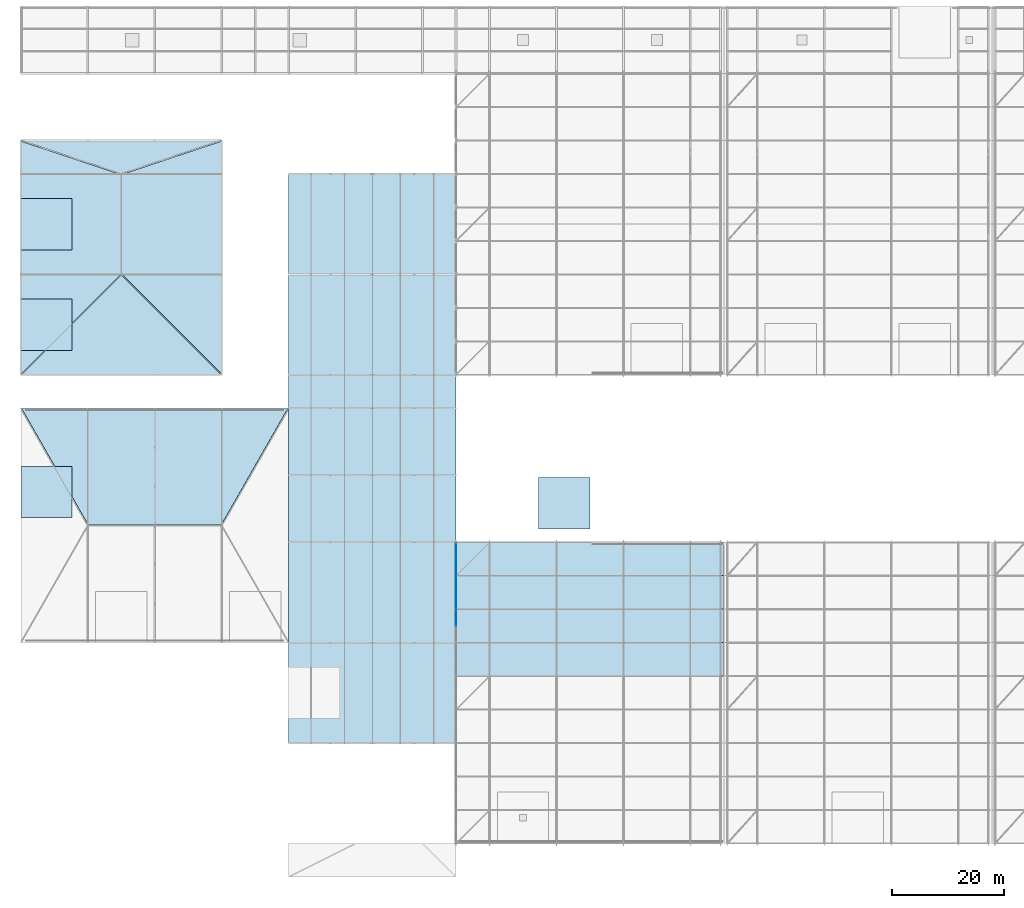
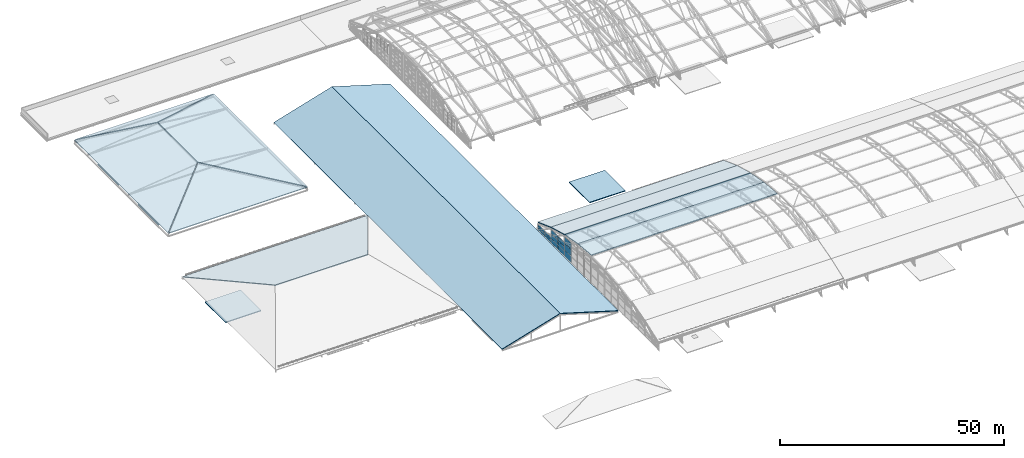
# One storey, part 159 of 204: 15 slabs, 13 plates, 7 elements without a shape of their own.
"""IFC4 building model written with IfcOpenShell, lengths in metres."""

from ifc_helpers import new_model, si_unit, direction, frame, origin, origin_2d, place, context, subcontext, project, spatial, polyline, rectangle, outline, extrude, material, layer, layer_set, type_object, element, aggregate, save


model = new_model("IFC4")

# Units and contexts
model_context = context("Model", 3, precision=1e-05, world=origin(), true_north=direction((0.0, 1.0)))
body_context = subcontext(model_context, "Body", "Model", "MODEL_VIEW")
ifc_project = project(units=[si_unit("LENGTHUNIT", "METRE"), si_unit("AREAUNIT", "SQUARE_METRE"), si_unit("VOLUMEUNIT", "CUBIC_METRE"), si_unit("PLANEANGLEUNIT", "RADIAN"), si_unit("MASSUNIT", "GRAM", prefix="KILO")], contexts=[model_context])

# Site, building, storey
site_placement = place(None, origin())
site = spatial("IfcSite", under=ifc_project, at=site_placement, CompositionType="ELEMENT")
building_placement = place(site_placement, origin())
building = spatial("IfcBuilding", under=site, at=building_placement, Name="Zilviju Railside Exhibition Hall", CompositionType="ELEMENT")
storey_placement = place(building_placement, frame((0.0, 0.0, 21.0)))
storey = spatial("IfcBuildingStorey", under=building, at=storey_placement, Name="RF", CompositionType="ELEMENT", Elevation=21.0)

# Curtain wall, plates
ifc_material_1 = material(Name="Thermally broken aluminium-steel triple-glazed curtain wall", Category="steel")
ifc_layer_1 = layer(ifc_material_1, 0.179931640625)
ifc_layer_set_1 = layer_set([ifc_layer_1], Name="Thermally broken aluminium-steel triple-glazed curtain wall")
curtain_wall_type_1 = type_object("IfcCurtainWallType", Name="CW-BAY-17", PredefinedType="USERDEFINED", material=ifc_layer_set_1)
curtain_wall_1_placement = place(storey_placement, origin())
curtain_wall_1 = element("IfcCurtainWall", 1, at=curtain_wall_1_placement, inside=storey, type_object=curtain_wall_type_1, Name="South Hall Arch Tympanum Glazing West P9", ObjectType="GLAZED CURTAIN WALL", PredefinedType="USERDEFINED")
ifc_material_2 = material(Name="Laminated acoustic double-glazed porch unit", Category="glass")
ifc_layer_2 = layer(ifc_material_2, 0.031982421875)
ifc_layer_set_2 = layer_set([ifc_layer_2], Name="Laminated acoustic double-glazed porch unit")
plate_type_1 = type_object("IfcPlateType", Name="CWP-IGU-32", PredefinedType="CURTAIN_PANEL", material=ifc_layer_set_2)
plate_1_placement = place(storey_placement, frame((78.0, 49.514892578125, -7.739990234375), z_axis=(0.0, 0.0, 1.0), x_axis=(0.0, 1.0, 0.0)))
plate_1 = element("IfcPlate", 2, at=plate_1_placement, type_object=plate_type_1, Name="CW-17 panel 1.1", PredefinedType="CURTAIN_PANEL", context=body_context, shape_type="SweptSolid", body=[
    extrude(rectangle(XDim=2.909912109375, YDim=0.031982421875, at=origin_2d()), origin(), (0.0, 0.0, 1.0), 0.7099609375),
])
plate_2_placement = place(storey_placement, frame((78.0, 49.514892578125, -6.969970703125), z_axis=(0.0, 0.0, 1.0), x_axis=(0.0, 1.0, 0.0)))
plate_2 = element("IfcPlate", 3, at=plate_2_placement, type_object=plate_type_1, Name="CW-17 panel 1.2", PredefinedType="CURTAIN_PANEL", context=body_context, shape_type="SweptSolid", body=[
    extrude(rectangle(XDim=2.909912109375, YDim=0.031982421875, at=origin_2d()), origin(), (0.0, 0.0, 1.0), 0.7099609375),
])
plate_3_placement = place(storey_placement, frame((78.0, 52.485107421875, -7.739990234375), z_axis=(0.0, 0.0, 1.0), x_axis=(0.0, 1.0, 0.0)))
plate_3 = element("IfcPlate", 4, at=plate_3_placement, type_object=plate_type_1, Name="CW-17 panel 2.1", PredefinedType="CURTAIN_PANEL", context=body_context, shape_type="SweptSolid", body=[
    extrude(rectangle(XDim=2.909912109375, YDim=0.031982421875, at=origin_2d()), origin(), (0.0, 0.0, 1.0), 0.7099609375),
])
plate_4_placement = place(storey_placement, frame((78.0, 52.485107421875, -6.969970703125), z_axis=(0.0, 0.0, 1.0), x_axis=(0.0, 1.0, 0.0)))
plate_4 = element("IfcPlate", 5, at=plate_4_placement, type_object=plate_type_1, Name="CW-17 panel 2.2", PredefinedType="CURTAIN_PANEL", context=body_context, shape_type="SweptSolid", body=[
    extrude(rectangle(XDim=2.909912109375, YDim=0.031982421875, at=origin_2d()), origin(), (0.0, 0.0, 1.0), 0.7099609375),
])
aggregate(curtain_wall_1, [plate_1, plate_2, plate_3, plate_4])

ifc_layer_3 = layer(ifc_material_1, 0.179931640625)
ifc_layer_set_3 = layer_set([ifc_layer_3], Name="Thermally broken aluminium-steel triple-glazed curtain wall")
curtain_wall_type_2 = type_object("IfcCurtainWallType", Name="CW-BAY-16", PredefinedType="USERDEFINED", material=ifc_layer_set_3)
curtain_wall_2_placement = place(storey_placement, origin())
curtain_wall_2 = element("IfcCurtainWall", 6, at=curtain_wall_2_placement, inside=storey, type_object=curtain_wall_type_2, Name="South Hall Arch Tympanum Glazing West P8", ObjectType="GLAZED CURTAIN WALL", PredefinedType="USERDEFINED")
ifc_material_3 = material(Name="Triple-glazed solar-control glass unit", Category="glass")
ifc_layer_4 = layer(ifc_material_3, 0.0380859375)
ifc_layer_set_4 = layer_set([ifc_layer_4], Name="Triple-glazed solar-control glass unit")
plate_type_2 = type_object("IfcPlateType", Name="CWP-IGU-38", PredefinedType="CURTAIN_PANEL", material=ifc_layer_set_4)
plate_5_placement = place(storey_placement, frame((78.0, 43.516357421875, -7.73486328125), z_axis=(0.0, 0.0, 1.0), x_axis=(0.0, 1.0, 0.0)))
plate_5 = element("IfcPlate", 7, at=plate_5_placement, type_object=plate_type_2, Name="CW-16 panel 1.1", PredefinedType="CURTAIN_PANEL", context=body_context, shape_type="SweptSolid", body=[
    extrude(rectangle(XDim=2.902587890625, YDim=0.0380859375, at=origin_2d()), origin(), (0.0, 0.0, 1.0), 1.173583984375),
])
plate_6_placement = place(storey_placement, frame((78.0, 43.516357421875, -6.49658203125), z_axis=(0.0, 0.0, 1.0), x_axis=(0.0, 1.0, 0.0)))
plate_6 = element("IfcPlate", 8, at=plate_6_placement, type_object=plate_type_2, Name="CW-16 panel 1.2", PredefinedType="CURTAIN_PANEL", context=body_context, shape_type="SweptSolid", body=[
    extrude(rectangle(XDim=2.902587890625, YDim=0.0380859375, at=origin_2d()), origin(), (0.0, 0.0, 1.0), 1.205078125),
])
plate_7_placement = place(storey_placement, frame((78.0, 43.516357421875, -5.2265625), z_axis=(0.0, 0.0, 1.0), x_axis=(0.0, 1.0, 0.0)))
plate_7 = element("IfcPlate", 9, at=plate_7_placement, type_object=plate_type_2, Name="CW-16 panel 1.3", PredefinedType="CURTAIN_PANEL", context=body_context, shape_type="SweptSolid", body=[
    extrude(rectangle(XDim=2.902587890625, YDim=0.0380859375, at=origin_2d()), origin(), (0.0, 0.0, 1.0), 1.173583984375),
])
plate_8_placement = place(storey_placement, frame((78.0, 46.483642578125, -7.73486328125), z_axis=(0.0, 0.0, 1.0), x_axis=(0.0, 1.0, 0.0)))
plate_8 = element("IfcPlate", 10, at=plate_8_placement, type_object=plate_type_2, Name="CW-16 panel 2.1", PredefinedType="CURTAIN_PANEL", context=body_context, shape_type="SweptSolid", body=[
    extrude(rectangle(XDim=2.902587890625, YDim=0.0380859375, at=origin_2d()), origin(), (0.0, 0.0, 1.0), 1.173583984375),
])
plate_9_placement = place(storey_placement, frame((78.0, 46.483642578125, -6.49658203125), z_axis=(0.0, 0.0, 1.0), x_axis=(0.0, 1.0, 0.0)))
plate_9 = element("IfcPlate", 11, at=plate_9_placement, type_object=plate_type_2, Name="CW-16 panel 2.2", PredefinedType="CURTAIN_PANEL", context=body_context, shape_type="SweptSolid", body=[
    extrude(rectangle(XDim=2.902587890625, YDim=0.0380859375, at=origin_2d()), origin(), (0.0, 0.0, 1.0), 1.205078125),
])
plate_10_placement = place(storey_placement, frame((78.0, 46.483642578125, -5.2265625), z_axis=(0.0, 0.0, 1.0), x_axis=(0.0, 1.0, 0.0)))
plate_10 = element("IfcPlate", 12, at=plate_10_placement, type_object=plate_type_2, Name="CW-16 panel 2.3", PredefinedType="CURTAIN_PANEL", context=body_context, shape_type="SweptSolid", body=[
    extrude(rectangle(XDim=2.902587890625, YDim=0.0380859375, at=origin_2d()), origin(), (0.0, 0.0, 1.0), 1.173583984375),
])
aggregate(curtain_wall_2, [plate_5, plate_6, plate_7, plate_8, plate_9, plate_10])

ifc_layer_5 = layer(ifc_material_1, 0.179931640625)
ifc_layer_set_5 = layer_set([ifc_layer_5], Name="Thermally broken aluminium-steel triple-glazed curtain wall")
curtain_wall_type_3 = type_object("IfcCurtainWallType", Name="CW-BAY-15", PredefinedType="USERDEFINED", material=ifc_layer_set_5)
curtain_wall_3_placement = place(storey_placement, origin())
curtain_wall_3 = element("IfcCurtainWall", 13, at=curtain_wall_3_placement, inside=storey, type_object=curtain_wall_type_3, Name="South Hall Arch Tympanum Glazing West P7", ObjectType="GLAZED CURTAIN WALL", PredefinedType="USERDEFINED")
ifc_material_4 = material(Name="Triple-glazed low-E argon insulating glass unit", Category="glass")
ifc_layer_6 = layer(ifc_material_4, 0.0439453125)
ifc_layer_set_6 = layer_set([ifc_layer_6], Name="Triple-glazed low-E argon insulating glass unit")
plate_type_3 = type_object("IfcPlateType", Name="CWP-IGU-44", PredefinedType="CURTAIN_PANEL", material=ifc_layer_set_6)
plate_11_placement = place(storey_placement, frame((78.0, 40.482421875, -7.72998046875), z_axis=(0.0, 0.0, 1.0), x_axis=(0.0, 1.0, 0.0)))
plate_11 = element("IfcPlate", 14, at=plate_11_placement, type_object=plate_type_3, Name="CW-15 panel 2.1", PredefinedType="CURTAIN_PANEL", context=body_context, shape_type="SweptSolid", body=[
    extrude(rectangle(XDim=2.89501953125, YDim=0.0439453125, at=origin_2d()), origin(), (0.0, 0.0, 1.0), 1.718994140625),
])
plate_12_placement = place(storey_placement, frame((78.0, 40.482421875, -5.94091796875), z_axis=(0.0, 0.0, 1.0), x_axis=(0.0, 1.0, 0.0)))
plate_12 = element("IfcPlate", 15, at=plate_12_placement, type_object=plate_type_3, Name="CW-15 panel 2.2", PredefinedType="CURTAIN_PANEL", context=body_context, shape_type="SweptSolid", body=[
    extrude(rectangle(XDim=2.89501953125, YDim=0.0439453125, at=origin_2d()), origin(), (0.0, 0.0, 1.0), 1.75390625),
])
plate_13_placement = place(storey_placement, frame((78.0, 40.482421875, -4.1171875), z_axis=(0.0, 0.0, 1.0), x_axis=(0.0, 1.0, 0.0)))
plate_13 = element("IfcPlate", 16, at=plate_13_placement, type_object=plate_type_3, Name="CW-15 panel 2.3", PredefinedType="CURTAIN_PANEL", context=body_context, shape_type="SweptSolid", body=[
    extrude(rectangle(XDim=2.89501953125, YDim=0.0439453125, at=origin_2d()), origin(), (0.0, 0.0, 1.0), 1.718994140625),
])
aggregate(curtain_wall_3, [plate_11, plate_12, plate_13])

# Slabs
ifc_material_5 = material(Name="Concrete C35/45", Category="concrete")
ifc_layer_7 = layer(ifc_material_5, 0.219970703125)
ifc_layer_set_7 = layer_set([ifc_layer_7], Name="Concrete C35/45")
slab_type_1 = type_object("IfcSlabType", Name="SL-RCAP-220", PredefinedType="ROOF", material=ifc_layer_set_7)
slab_1_placement = place(storey_placement, frame((0.0, 0.0, -7.219970703125)))
element("IfcSlab", 17, at=slab_1_placement, inside=storey, type_object=slab_type_1, Name="Core C10 Winter Concourse Court Overrun Roof Cap", PredefinedType="ROOF", context=body_context, shape_type="SweptSolid", body=[
    extrude(outline(polyline([(92.800048828125, 56.39990234375), (102.0, 56.39990234375), (102.0, 65.60009765625), (92.800048828125, 65.60009765625), (92.800048828125, 56.39990234375)])), origin(), (0.0, 0.0, 1.0), 0.219970703125),
])
slab_2_placement = place(storey_placement, frame((0.0, 0.0, -8.6201171875)))
element("IfcSlab", 18, at=slab_2_placement, inside=storey, type_object=slab_type_1, Name="Core C14 Congress Plenary West Overrun Roof Cap", PredefinedType="ROOF", context=body_context, shape_type="SweptSolid", body=[
    extrude(outline(polyline([(0.0, 58.39990234375), (9.199951171875, 58.39990234375), (9.199951171875, 67.60009765625), (0.0, 67.60009765625), (0.0, 58.39990234375)])), origin(), (0.0, 0.0, 1.0), 0.22021484375),
])
slab_3_placement = place(storey_placement, frame((0.0, 0.0, -0.219970703125)))
element("IfcSlab", 19, at=slab_3_placement, inside=storey, type_object=slab_type_1, Name="Core C15 Organisers Wing South Overrun Roof Cap", PredefinedType="ROOF", context=body_context, shape_type="SweptSolid", body=[
    extrude(outline(polyline([(0.0, 88.39990234375), (9.199951171875, 88.39990234375), (9.199951171875, 97.60009765625), (0.0, 97.60009765625), (0.0, 88.39990234375)])), origin(), (0.0, 0.0, 1.0), 0.219970703125),
])
slab_4_placement = place(storey_placement, frame((0.0, 0.0, -0.219970703125)))
element("IfcSlab", 20, at=slab_4_placement, inside=storey, type_object=slab_type_1, Name="Core C16 Organisers Wing North Overrun Roof Cap", PredefinedType="ROOF", context=body_context, shape_type="SweptSolid", body=[
    extrude(outline(polyline([(0.0, 106.39990234375), (9.199951171875, 106.39990234375), (9.199951171875, 115.60009765625), (0.0, 115.60009765625), (0.0, 106.39990234375)])), origin(), (0.0, 0.0, 1.0), 0.219970703125),
])

# Roof, slabs
ifc_material_6 = material(Name="Triple-glazed aluminium-steel saddle lantern roof", Category="steel")
ifc_layer_8 = layer(ifc_material_6, 0.199951171875)
ifc_layer_set_8 = layer_set([ifc_layer_8], Name="Triple-glazed aluminium-steel saddle lantern roof")
roof_type_1 = type_object("IfcRoofType", Name="ROOF-GABLE-LANTERN", PredefinedType="GABLE_ROOF", material=ifc_layer_set_8)
roof_1_placement = place(storey_placement, origin())
roof_1 = element("IfcRoof", 21, at=roof_1_placement, inside=storey, type_object=roof_type_1, Name="Winter Concourse Glazed Saddle Ridge Lantern", PredefinedType="GABLE_ROOF")
ifc_layer_9 = layer(ifc_material_5, 0.18994140625)
ifc_layer_set_9 = layer_set([ifc_layer_9], Name="Concrete C35/45")
slab_type_2 = type_object("IfcSlabType", Name="SL-ROOF-190", PredefinedType="ROOF", material=ifc_layer_set_9)
slab_5_placement = place(storey_placement, frame((48.0, 18.0, -8.06005859375), z_axis=(-0.287347885566, 0.0, 0.957826285221), x_axis=(0.957826285221, 0.0, 0.287347885566)))
slab_5 = element("IfcSlab", 22, at=slab_5_placement, type_object=slab_type_2, Name="Winter Concourse Lantern Glazed Deck 1", PredefinedType="ROOF", context=body_context, shape_type="SweptSolid", body=[
    extrude(outline(polyline([(0.0, 0.0), (15.660459763365825, 0.0), (15.660459763365825, 102.0), (0.0, 102.0), (0.0, 0.0)])), origin(), (0.0, 0.0, -1.0), 0.18994140625),
])
slab_6_placement = place(storey_placement, frame((63.0, 18.0, -3.56005859375), z_axis=(0.287347885566, 0.0, 0.957826285221), x_axis=(0.957826285221, 0.0, -0.287347885566)))
slab_6 = element("IfcSlab", 23, at=slab_6_placement, type_object=slab_type_2, Name="Winter Concourse Lantern Glazed Deck 2", PredefinedType="ROOF", context=body_context, shape_type="SweptSolid", body=[
    extrude(outline(polyline([(0.0, 0.0), (15.660459763365825, 0.0), (15.660459763365825, 102.0), (0.0, 102.0), (0.0, 0.0)])), origin(), (0.0, 0.0, -1.0), 0.18994140625),
])
aggregate(roof_1, [slab_5, slab_6])

# Roof, slab
ifc_material_7 = material(Name="Patinated copper acoustic hipped roof deck", Category="steel")
ifc_layer_10 = layer(ifc_material_7, 0.219970703125)
ifc_layer_set_10 = layer_set([ifc_layer_10], Name="Patinated copper acoustic hipped roof deck")
roof_type_2 = type_object("IfcRoofType", Name="ROOF-HIP-COPPER", PredefinedType="HIP_ROOF", material=ifc_layer_set_10)
roof_2_placement = place(storey_placement, origin())
roof_2 = element("IfcRoof", 24, at=roof_2_placement, inside=storey, type_object=roof_type_2, Name="Congress Plenary Steep Hipped Patinated-Copper Roof", PredefinedType="HIP_ROOF")
ifc_layer_11 = layer(ifc_material_5, 0.2099609375)
ifc_layer_set_11 = layer_set([ifc_layer_11], Name="Concrete C35/45")
slab_type_3 = type_object("IfcSlabType", Name="SL-ROOF-210", PredefinedType="ROOF", material=ifc_layer_set_11)
slab_7_placement = place(storey_placement, frame((47.860107421875, 78.0, -7.919921875), z_axis=(0.0, 0.285249680397, 0.958453243426), x_axis=(-1.0, 0.0, 0.0)))
slab_7 = element("IfcSlab", 25, at=slab_7_placement, type_object=slab_type_3, Name="Congress Hipped Roof Deck 2", PredefinedType="ROOF", context=body_context, shape_type="SweptSolid", body=[
    extrude(outline(polyline([(0.0, 0.0), (47.72021484375, 0.0), (35.765869140625, 21.82675265433424), (11.954345703125, 21.82675265433424), (0.0, 0.0)])), origin(), (0.0, 0.0, -1.0), 0.2099609375),
])
aggregate(roof_2, [slab_7])

# Roof, slabs
ifc_material_8 = material(Name="Slate-zinc insulated hipped roof deck", Category="masonry")
ifc_layer_12 = layer(ifc_material_8, 0.2099609375)
ifc_layer_set_12 = layer_set([ifc_layer_12], Name="Slate-zinc insulated hipped roof deck")
roof_type_3 = type_object("IfcRoofType", Name="ROOF-HIP-SLATE", PredefinedType="HIP_ROOF", material=ifc_layer_set_12)
roof_3_placement = place(storey_placement, origin())
roof_3 = element("IfcRoof", 26, at=roof_3_placement, inside=storey, type_object=roof_type_3, Name="Directorate Wing Hipped Slate-Zinc Roof", PredefinedType="HIP_ROOF")
slab_8_placement = place(storey_placement, frame((0.0, 84.1201171875, 0.3798828125), z_axis=(-0.115882033118, 0.0, 0.993262983505), x_axis=(0.0, 1.0, 0.0)))
slab_8 = element("IfcSlab", 27, at=slab_8_placement, type_object=slab_type_3, Name="Directorate Hipped Roof Deck 1", PredefinedType="ROOF", context=body_context, shape_type="SweptSolid", body=[
    extrude(outline(polyline([(0.0, 0.0), (41.759765625, 0.0), (35.77978515625, -18.061622857374235), (17.93994140625, -18.061622857374235), (0.0, 0.0)])), origin(), (0.0, 0.0, -1.0), 0.2099609375),
])
slab_9_placement = place(storey_placement, frame((36.0, 125.8798828125, 0.3798828125), z_axis=(0.115882033118, 0.0, 0.993262983505), x_axis=(0.0, -1.0, 0.0)))
slab_9 = element("IfcSlab", 28, at=slab_9_placement, type_object=slab_type_3, Name="Directorate Hipped Roof Deck 2", PredefinedType="ROOF", context=body_context, shape_type="SweptSolid", body=[
    extrude(outline(polyline([(0.0, 0.0), (41.759765625, 0.0), (23.81982421875, -18.061622857374235), (5.97998046875, -18.061622857374235), (0.0, 0.0)])), origin(), (0.0, 0.0, -1.0), 0.2099609375),
])
slab_10_placement = place(storey_placement, frame((0.1201171875, 84.0, 0.3798828125), z_axis=(0.0, -0.115891403841, 0.993261890196), x_axis=(1.0, 0.0, 0.0)))
slab_10 = element("IfcSlab", 29, at=slab_10_placement, type_object=slab_type_3, Name="Directorate Hipped Roof Deck 3", PredefinedType="ROOF", context=body_context, shape_type="SweptSolid", body=[
    extrude(outline(polyline([(0.0, 0.0), (35.759765625, 0.0), (17.8798828125, 18.001176717826354), (0.0, 0.0)])), origin(), (0.0, 0.0, -1.0), 0.2099609375),
])
slab_11_placement = place(storey_placement, frame((35.820068359375, 126.0, 0.3798828125), z_axis=(0.0, 0.330367704746, 0.943852308182), x_axis=(-1.0, 0.0, 0.0)))
slab_11 = element("IfcSlab", 30, at=slab_11_placement, type_object=slab_type_3, Name="Directorate Hipped Roof Deck 4", PredefinedType="ROOF", context=body_context, shape_type="SweptSolid", body=[
    extrude(outline(polyline([(0.0, 0.0), (35.64013671875, 0.0), (17.820068359375, 6.2932954178930105), (0.0, 0.0)])), origin(), (0.0, 0.0, -1.0), 0.2099609375),
])
aggregate(roof_3, [slab_8, slab_9, slab_10, slab_11])

ifc_material_9 = material(Name="Standing-seam zinc-copper acoustic barrel roof deck", Category="steel")
ifc_layer_13 = layer(ifc_material_9, 0.239990234375)
ifc_layer_set_13 = layer_set([ifc_layer_13], Name="Standing-seam zinc-copper acoustic barrel roof deck")
roof_type_4 = type_object("IfcRoofType", Name="ROOF-BARREL-ZINC", PredefinedType="BARREL_ROOF", material=ifc_layer_set_13)
roof_4_placement = place(storey_placement, origin())
roof_4 = element("IfcRoof", 31, at=roof_4_placement, inside=storey, type_object=roof_type_4, Name="V1 Standing-Seam Barrel Vault Roof Block 1", PredefinedType="BARREL_ROOF")
ifc_layer_14 = layer(ifc_material_5, 0.22998046875)
ifc_layer_set_14 = layer_set([ifc_layer_14], Name="Concrete C35/45")
slab_type_4 = type_object("IfcSlabType", Name="SL-ROOF-230", PredefinedType="ROOF", material=ifc_layer_set_14)
slab_12_placement = place(storey_placement, frame((78.0, 30.0, -0.14404296875), z_axis=(0.0, 0.091814320641, 0.995776144786), x_axis=(1.0, 0.0, 0.0)))
slab_12 = element("IfcSlab", 32, at=slab_12_placement, type_object=slab_type_4, Name="V1 Barrel Vault Roof Deck B1.6", PredefinedType="ROOF", context=body_context, shape_type="SweptSolid", body=[
    extrude(outline(polyline([(0.0, 0.0), (47.969970703125, 0.0), (47.969970703125, 6.0254506310638964), (0.0, 6.0254506310638964), (0.0, 0.0)])), origin(), (0.0, 0.0, -1.0), 0.22998046875),
])
slab_13_placement = place(storey_placement, frame((78.0, 36.0, -0.697265625), z_axis=(0.0, 0.18131112606, 0.98342578549), x_axis=(1.0, 0.0, 0.0)))
slab_13 = element("IfcSlab", 33, at=slab_13_placement, type_object=slab_type_4, Name="V1 Barrel Vault Roof Deck B1.7", PredefinedType="ROOF", context=body_context, shape_type="SweptSolid", body=[
    extrude(outline(polyline([(0.0, 0.0), (47.969970703125, 0.0), (47.969970703125, 6.101121293062253), (0.0, 6.101121293062253), (0.0, 0.0)])), origin(), (0.0, 0.0, -1.0), 0.22998046875),
])
slab_14_placement = place(storey_placement, frame((78.0, 42.0, -1.803466796875), z_axis=(0.0, 0.266527144223, 0.963827412659), x_axis=(1.0, 0.0, 0.0)))
slab_14 = element("IfcSlab", 34, at=slab_14_placement, type_object=slab_type_4, Name="V1 Barrel Vault Roof Deck B1.8", PredefinedType="ROOF", context=body_context, shape_type="SweptSolid", body=[
    extrude(outline(polyline([(0.0, 0.0), (47.969970703125, 0.0), (47.969970703125, 6.225180899814286), (0.0, 6.225180899814286), (0.0, 0.0)])), origin(), (0.0, 0.0, -1.0), 0.22998046875),
])
slab_15_placement = place(storey_placement, frame((78.0, 48.0, -3.462646484375), z_axis=(0.0, 0.345963648468, 0.938247917098), x_axis=(1.0, 0.0, 0.0)))
slab_15 = element("IfcSlab", 35, at=slab_15_placement, type_object=slab_type_4, Name="V1 Barrel Vault Roof Deck B1.9", PredefinedType="ROOF", context=body_context, shape_type="SweptSolid", body=[
    extrude(outline(polyline([(0.0, 0.0), (47.969970703125, 0.0), (47.969970703125, 6.394898289310824), (0.0, 6.394898289310824), (0.0, 0.0)])), origin(), (0.0, 0.0, -1.0), 0.22998046875),
])
aggregate(roof_4, [slab_12, slab_13, slab_14, slab_15])

save(model, "model.ifc")
